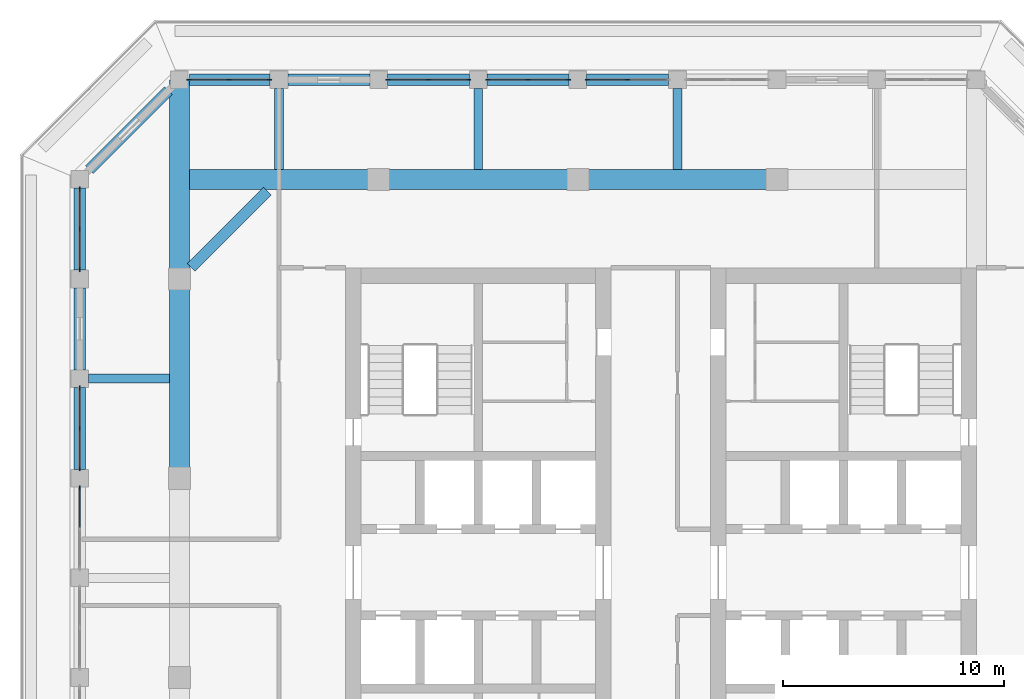
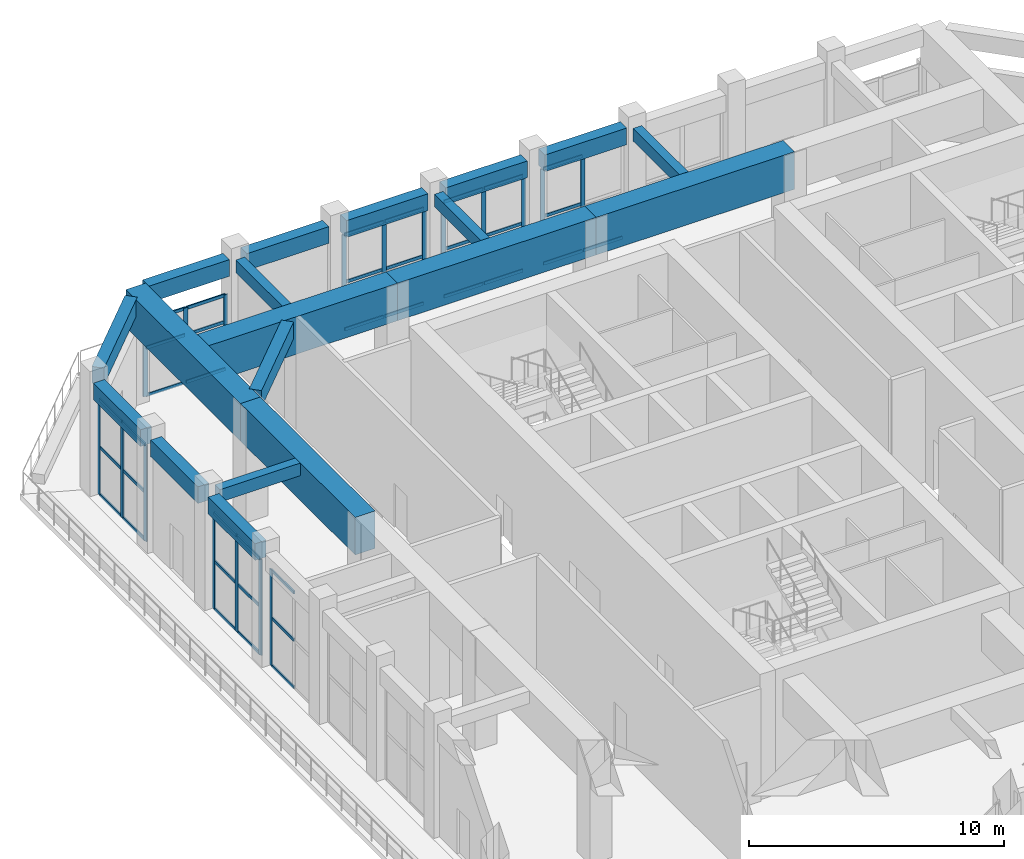
# One storey, part 5 of 20: 55 members, 19 beams, 7 elements without a shape of their own.
"""IFC4 building model written with IfcOpenShell, lengths in metres."""

from ifc_helpers import new_model, si_unit, direction, frame, origin, origin_2d, place, context, subcontext, project, spatial, rectangle, extrude, material, material_profile, profile_set, type_object, element, aggregate, save


model = new_model("IFC4")

# Units and contexts
model_context = context("Model", 3, precision=1e-05, world=origin(), true_north=direction((0.0, 1.0)))
body_context = subcontext(model_context, "Body", "Model", "MODEL_VIEW")
ifc_project = project(units=[si_unit("LENGTHUNIT", "METRE"), si_unit("AREAUNIT", "SQUARE_METRE"), si_unit("VOLUMEUNIT", "CUBIC_METRE"), si_unit("PLANEANGLEUNIT", "RADIAN"), si_unit("MASSUNIT", "GRAM", prefix="KILO")], contexts=[model_context])

# Site, building, storey
site_placement = place(None, origin())
site = spatial("IfcSite", under=ifc_project, at=site_placement, CompositionType="ELEMENT")
building_placement = place(site_placement, origin())
building = spatial("IfcBuilding", under=site, at=building_placement, Name="Corbel Stack Research Tower", CompositionType="ELEMENT")
storey_placement = place(building_placement, frame((0.0, 0.0, 295.0)))
storey = spatial("IfcBuildingStorey", under=building, at=storey_placement, Name="L67", CompositionType="ELEMENT", Elevation=295.0)

# Curtain wall, members
ifc_material_1 = material(Name="Aluminium frame, clear glass", Category="aluminium")
curtain_wall_type = type_object("IfcCurtainWallType", Name="Upper amenity floor curtain wall CW3", PredefinedType="NOTDEFINED", material=ifc_material_1)
curtain_wall_1_placement = place(storey_placement, origin())
curtain_wall_1 = element("IfcCurtainWall", 1, at=curtain_wall_1_placement, inside=storey, type_object=curtain_wall_type, Name="Curtain wall CW3 L67 N04", PredefinedType="NOTDEFINED")
ifc_material_2 = material(Name="Aluminium mullion", Category="aluminium")
ifc_material_profile_1 = material_profile(ifc_material_2, rectangle(XDim=0.06005859375, YDim=0.199951171875, at=origin_2d()), Name="Mullion 60 x 200")
ifc_profile_set_1 = profile_set([ifc_material_profile_1], Name="Aluminium mullion")
member_type_1 = type_object("IfcMemberType", Name="Curtain wall mullion 60 x 200", PredefinedType="MULLION", material=ifc_profile_set_1)
member_1_placement = place(storey_placement, frame((2.25, 27.0, 0.0), z_axis=(0.0, 0.0, 1.0), x_axis=(0.0, -1.0, 0.0)))
member_1 = element("IfcMember", 2, at=member_1_placement, type_object=member_type_1, Name="CW3 mullion 2", PredefinedType="MULLION", context=body_context, shape_type="SweptSolid", body=[
    extrude(rectangle(XDim=0.06005859375, YDim=0.199951171875, at=origin_2d()), origin(), (0.0, 0.0, 1.0), 4.60009765625),
])
member_2_placement = place(storey_placement, frame((0.429931640625, 27.0, 0.0), z_axis=(0.0, 0.0, 1.0), x_axis=(0.0, -1.0, 0.0)))
member_2 = element("IfcMember", 3, at=member_2_placement, type_object=member_type_1, Name="CW3 mullion 3", PredefinedType="MULLION", context=body_context, shape_type="SweptSolid", body=[
    extrude(rectangle(XDim=0.06005859375, YDim=0.199951171875, at=origin_2d()), origin(), (0.0, 0.0, 1.0), 4.60009765625),
])

curtain_wall_2_placement = place(storey_placement, origin())
curtain_wall_2 = element("IfcCurtainWall", 4, at=curtain_wall_2_placement, inside=storey, type_object=curtain_wall_type, Name="Curtain wall CW3 L67 N05", PredefinedType="NOTDEFINED")
member_3_placement = place(storey_placement, frame((-0.429931640625, 27.0, 0.0), z_axis=(0.0, 0.0, 1.0), x_axis=(0.0, -1.0, 0.0)))
member_3 = element("IfcMember", 5, at=member_3_placement, type_object=member_type_1, Name="CW3 mullion 1", PredefinedType="MULLION", context=body_context, shape_type="SweptSolid", body=[
    extrude(rectangle(XDim=0.06005859375, YDim=0.199951171875, at=origin_2d()), origin(), (0.0, 0.0, 1.0), 4.60009765625),
])
member_4_placement = place(storey_placement, frame((-2.25, 27.0, 0.0), z_axis=(0.0, 0.0, 1.0), x_axis=(0.0, -1.0, 0.0)))
member_4 = element("IfcMember", 6, at=member_4_placement, type_object=member_type_1, Name="CW3 mullion 2", PredefinedType="MULLION", context=body_context, shape_type="SweptSolid", body=[
    extrude(rectangle(XDim=0.06005859375, YDim=0.199951171875, at=origin_2d()), origin(), (0.0, 0.0, 1.0), 4.60009765625),
])
member_5_placement = place(storey_placement, frame((-4.070068359375, 27.0, 0.0), z_axis=(0.0, 0.0, 1.0), x_axis=(0.0, -1.0, 0.0)))
member_5 = element("IfcMember", 7, at=member_5_placement, type_object=member_type_1, Name="CW3 mullion 3", PredefinedType="MULLION", context=body_context, shape_type="SweptSolid", body=[
    extrude(rectangle(XDim=0.06005859375, YDim=0.199951171875, at=origin_2d()), origin(), (0.0, 0.0, 1.0), 4.60009765625),
])

curtain_wall_3_placement = place(storey_placement, origin())
curtain_wall_3 = element("IfcCurtainWall", 8, at=curtain_wall_3_placement, inside=storey, type_object=curtain_wall_type, Name="Curtain wall CW3 L67 N06", PredefinedType="NOTDEFINED")
member_6_placement = place(storey_placement, frame((-4.929931640625, 27.0, 0.0), z_axis=(0.0, 0.0, 1.0), x_axis=(0.0, -1.0, 0.0)))
member_6 = element("IfcMember", 9, at=member_6_placement, type_object=member_type_1, Name="CW3 mullion 1", PredefinedType="MULLION", context=body_context, shape_type="SweptSolid", body=[
    extrude(rectangle(XDim=0.06005859375, YDim=0.199951171875, at=origin_2d()), origin(), (0.0, 0.0, 1.0), 4.60009765625),
])
member_7_placement = place(storey_placement, frame((-6.75, 27.0, 0.0), z_axis=(0.0, 0.0, 1.0), x_axis=(0.0, -1.0, 0.0)))
member_7 = element("IfcMember", 10, at=member_7_placement, type_object=member_type_1, Name="CW3 mullion 2", PredefinedType="MULLION", context=body_context, shape_type="SweptSolid", body=[
    extrude(rectangle(XDim=0.06005859375, YDim=0.199951171875, at=origin_2d()), origin(), (0.0, 0.0, 1.0), 4.60009765625),
])
member_8_placement = place(storey_placement, frame((-8.570068359375, 27.0, 0.0), z_axis=(0.0, 0.0, 1.0), x_axis=(0.0, -1.0, 0.0)))
member_8 = element("IfcMember", 11, at=member_8_placement, type_object=member_type_1, Name="CW3 mullion 3", PredefinedType="MULLION", context=body_context, shape_type="SweptSolid", body=[
    extrude(rectangle(XDim=0.06005859375, YDim=0.199951171875, at=origin_2d()), origin(), (0.0, 0.0, 1.0), 4.60009765625),
])

curtain_wall_4_placement = place(storey_placement, origin())
curtain_wall_4 = element("IfcCurtainWall", 12, at=curtain_wall_4_placement, inside=storey, type_object=curtain_wall_type, Name="Curtain wall CW3 L67 N08", PredefinedType="NOTDEFINED")
member_9_placement = place(storey_placement, frame((-13.929931640625, 27.0, 0.0), z_axis=(0.0, 0.0, 1.0), x_axis=(0.0, -1.0, 0.0)))
member_9 = element("IfcMember", 13, at=member_9_placement, type_object=member_type_1, Name="CW3 mullion 1", PredefinedType="MULLION", context=body_context, shape_type="SweptSolid", body=[
    extrude(rectangle(XDim=0.06005859375, YDim=0.199951171875, at=origin_2d()), origin(), (0.0, 0.0, 1.0), 3.60009765625),
])
member_10_placement = place(storey_placement, frame((-15.75, 27.0, 0.0), z_axis=(0.0, 0.0, 1.0), x_axis=(0.0, -1.0, 0.0)))
member_10 = element("IfcMember", 14, at=member_10_placement, type_object=member_type_1, Name="CW3 mullion 2", PredefinedType="MULLION", context=body_context, shape_type="SweptSolid", body=[
    extrude(rectangle(XDim=0.06005859375, YDim=0.199951171875, at=origin_2d()), origin(), (0.0, 0.0, 1.0), 3.60009765625),
])
member_11_placement = place(storey_placement, frame((-17.570068359375, 27.0, 0.0), z_axis=(0.0, 0.0, 1.0), x_axis=(0.0, -1.0, 0.0)))
member_11 = element("IfcMember", 15, at=member_11_placement, type_object=member_type_1, Name="CW3 mullion 3", PredefinedType="MULLION", context=body_context, shape_type="SweptSolid", body=[
    extrude(rectangle(XDim=0.06005859375, YDim=0.199951171875, at=origin_2d()), origin(), (0.0, 0.0, 1.0), 3.60009765625),
])

curtain_wall_5_placement = place(storey_placement, origin())
curtain_wall_5 = element("IfcCurtainWall", 16, at=curtain_wall_5_placement, inside=storey, type_object=curtain_wall_type, Name="Curtain wall CW3 L67 W01", PredefinedType="NOTDEFINED")
member_12_placement = place(storey_placement, frame((-22.5, 22.070068359375, 0.0), z_axis=(0.0, 0.0, 1.0), x_axis=(1.0, 0.0, 0.0)))
member_12 = element("IfcMember", 17, at=member_12_placement, type_object=member_type_1, Name="CW3 mullion 1", PredefinedType="MULLION", context=body_context, shape_type="SweptSolid", body=[
    extrude(rectangle(XDim=0.06005859375, YDim=0.199951171875, at=origin_2d()), origin(), (0.0, 0.0, 1.0), 4.60009765625),
])
member_13_placement = place(storey_placement, frame((-22.5, 20.25, 0.0), z_axis=(0.0, 0.0, 1.0), x_axis=(1.0, 0.0, 0.0)))
member_13 = element("IfcMember", 18, at=member_13_placement, type_object=member_type_1, Name="CW3 mullion 2", PredefinedType="MULLION", context=body_context, shape_type="SweptSolid", body=[
    extrude(rectangle(XDim=0.06005859375, YDim=0.199951171875, at=origin_2d()), origin(), (0.0, 0.0, 1.0), 4.60009765625),
])
member_14_placement = place(storey_placement, frame((-22.5, 18.429931640625, 0.0), z_axis=(0.0, 0.0, 1.0), x_axis=(1.0, 0.0, 0.0)))
member_14 = element("IfcMember", 19, at=member_14_placement, type_object=member_type_1, Name="CW3 mullion 3", PredefinedType="MULLION", context=body_context, shape_type="SweptSolid", body=[
    extrude(rectangle(XDim=0.06005859375, YDim=0.199951171875, at=origin_2d()), origin(), (0.0, 0.0, 1.0), 4.60009765625),
])

curtain_wall_6_placement = place(storey_placement, origin())
curtain_wall_6 = element("IfcCurtainWall", 20, at=curtain_wall_6_placement, inside=storey, type_object=curtain_wall_type, Name="Curtain wall CW3 L67 W03", PredefinedType="NOTDEFINED")
member_15_placement = place(storey_placement, frame((-22.5, 13.070068359375, 0.0), z_axis=(0.0, 0.0, 1.0), x_axis=(1.0, 0.0, 0.0)))
member_15 = element("IfcMember", 21, at=member_15_placement, type_object=member_type_1, Name="CW3 mullion 1", PredefinedType="MULLION", context=body_context, shape_type="SweptSolid", body=[
    extrude(rectangle(XDim=0.06005859375, YDim=0.199951171875, at=origin_2d()), origin(), (0.0, 0.0, 1.0), 4.60009765625),
])
member_16_placement = place(storey_placement, frame((-22.5, 11.25, 0.0), z_axis=(0.0, 0.0, 1.0), x_axis=(1.0, 0.0, 0.0)))
member_16 = element("IfcMember", 22, at=member_16_placement, type_object=member_type_1, Name="CW3 mullion 2", PredefinedType="MULLION", context=body_context, shape_type="SweptSolid", body=[
    extrude(rectangle(XDim=0.06005859375, YDim=0.199951171875, at=origin_2d()), origin(), (0.0, 0.0, 1.0), 4.60009765625),
])
member_17_placement = place(storey_placement, frame((-22.5, 9.429931640625, 0.0), z_axis=(0.0, 0.0, 1.0), x_axis=(1.0, 0.0, 0.0)))
member_17 = element("IfcMember", 23, at=member_17_placement, type_object=member_type_1, Name="CW3 mullion 3", PredefinedType="MULLION", context=body_context, shape_type="SweptSolid", body=[
    extrude(rectangle(XDim=0.06005859375, YDim=0.199951171875, at=origin_2d()), origin(), (0.0, 0.0, 1.0), 4.60009765625),
])

# Curtain wall, member
curtain_wall_7_placement = place(storey_placement, origin())
curtain_wall_7 = element("IfcCurtainWall", 24, at=curtain_wall_7_placement, inside=storey, type_object=curtain_wall_type, Name="Curtain wall CW3 L67 W04", PredefinedType="NOTDEFINED")
member_18_placement = place(storey_placement, frame((-22.5, 8.570068359375, 0.0), z_axis=(0.0, 0.0, 1.0), x_axis=(1.0, 0.0, 0.0)))
member_18 = element("IfcMember", 25, at=member_18_placement, type_object=member_type_1, Name="CW3 mullion 1", PredefinedType="MULLION", context=body_context, shape_type="SweptSolid", body=[
    extrude(rectangle(XDim=0.06005859375, YDim=0.199951171875, at=origin_2d()), origin(), (0.0, 0.0, 1.0), 4.60009765625),
])

# Member
ifc_material_3 = material(Name="Aluminium transom", Category="aluminium")
ifc_material_profile_2 = material_profile(ifc_material_3, rectangle(XDim=0.06005859375, YDim=0.14990234375, at=origin_2d()), Name="Transom 60 x 150")
ifc_profile_set_2 = profile_set([ifc_material_profile_2], Name="Aluminium transom")
member_type_2 = type_object("IfcMemberType", Name="Curtain wall transom 60 x 150", PredefinedType="USERDEFINED", material=ifc_profile_set_2)
member_19_placement = place(storey_placement, frame((4.0400390625, 27.0, 0.030029296875), z_axis=(-1.0, 0.0, 0.0), x_axis=(0.0, -1.0, 0.0)))
member_19 = element("IfcMember", 26, at=member_19_placement, type_object=member_type_2, Name="CW3 transom 1.1", ObjectType="TRANSOM", PredefinedType="USERDEFINED", context=body_context, shape_type="SweptSolid", body=[
    extrude(rectangle(XDim=0.06005859375, YDim=0.14990234375, at=origin_2d()), origin(), (0.0, 0.0, 1.0), 1.760009765625),
])

member_20_placement = place(storey_placement, frame((2.219970703125, 27.0, 0.030029296875), z_axis=(-1.0, 0.0, 0.0), x_axis=(0.0, -1.0, 0.0)))
member_20 = element("IfcMember", 27, at=member_20_placement, type_object=member_type_2, Name="CW3 transom 2.1", ObjectType="TRANSOM", PredefinedType="USERDEFINED", context=body_context, shape_type="SweptSolid", body=[
    extrude(rectangle(XDim=0.06005859375, YDim=0.14990234375, at=origin_2d()), origin(), (0.0, 0.0, 1.0), 1.760009765625),
])

member_21_placement = place(storey_placement, frame((2.219970703125, 27.0, 2.300048828125), z_axis=(-1.0, 0.0, 0.0), x_axis=(0.0, -1.0, 0.0)))
member_21 = element("IfcMember", 28, at=member_21_placement, type_object=member_type_2, Name="CW3 transom 2.2", ObjectType="TRANSOM", PredefinedType="USERDEFINED", context=body_context, shape_type="SweptSolid", body=[
    extrude(rectangle(XDim=0.06005859375, YDim=0.14990234375, at=origin_2d()), origin(), (0.0, 0.0, 1.0), 1.760009765625),
])

member_22_placement = place(storey_placement, frame((2.219970703125, 27.0, 4.570068359375), z_axis=(-1.0, 0.0, 0.0), x_axis=(0.0, -1.0, 0.0)))
member_22 = element("IfcMember", 29, at=member_22_placement, type_object=member_type_2, Name="CW3 transom 2.3", ObjectType="TRANSOM", PredefinedType="USERDEFINED", context=body_context, shape_type="SweptSolid", body=[
    extrude(rectangle(XDim=0.06005859375, YDim=0.14990234375, at=origin_2d()), origin(), (0.0, 0.0, 1.0), 1.760009765625),
])

aggregate(curtain_wall_1, [member_1, member_2, member_19, member_20, member_21, member_22])

member_23_placement = place(storey_placement, frame((-0.4599609375, 27.0, 0.030029296875), z_axis=(-1.0, 0.0, 0.0), x_axis=(0.0, -1.0, 0.0)))
member_23 = element("IfcMember", 30, at=member_23_placement, type_object=member_type_2, Name="CW3 transom 1.1", ObjectType="TRANSOM", PredefinedType="USERDEFINED", context=body_context, shape_type="SweptSolid", body=[
    extrude(rectangle(XDim=0.06005859375, YDim=0.14990234375, at=origin_2d()), origin(), (0.0, 0.0, 1.0), 1.760009765625),
])

member_24_placement = place(storey_placement, frame((-0.4599609375, 27.0, 2.300048828125), z_axis=(-1.0, 0.0, 0.0), x_axis=(0.0, -1.0, 0.0)))
member_24 = element("IfcMember", 31, at=member_24_placement, type_object=member_type_2, Name="CW3 transom 1.2", ObjectType="TRANSOM", PredefinedType="USERDEFINED", context=body_context, shape_type="SweptSolid", body=[
    extrude(rectangle(XDim=0.06005859375, YDim=0.14990234375, at=origin_2d()), origin(), (0.0, 0.0, 1.0), 1.760009765625),
])

member_25_placement = place(storey_placement, frame((-0.4599609375, 27.0, 4.570068359375), z_axis=(-1.0, 0.0, 0.0), x_axis=(0.0, -1.0, 0.0)))
member_25 = element("IfcMember", 32, at=member_25_placement, type_object=member_type_2, Name="CW3 transom 1.3", ObjectType="TRANSOM", PredefinedType="USERDEFINED", context=body_context, shape_type="SweptSolid", body=[
    extrude(rectangle(XDim=0.06005859375, YDim=0.14990234375, at=origin_2d()), origin(), (0.0, 0.0, 1.0), 1.760009765625),
])

member_26_placement = place(storey_placement, frame((-2.280029296875, 27.0, 0.030029296875), z_axis=(-1.0, 0.0, 0.0), x_axis=(0.0, -1.0, 0.0)))
member_26 = element("IfcMember", 33, at=member_26_placement, type_object=member_type_2, Name="CW3 transom 2.1", ObjectType="TRANSOM", PredefinedType="USERDEFINED", context=body_context, shape_type="SweptSolid", body=[
    extrude(rectangle(XDim=0.06005859375, YDim=0.14990234375, at=origin_2d()), origin(), (0.0, 0.0, 1.0), 1.760009765625),
])

member_27_placement = place(storey_placement, frame((-2.280029296875, 27.0, 2.300048828125), z_axis=(-1.0, 0.0, 0.0), x_axis=(0.0, -1.0, 0.0)))
member_27 = element("IfcMember", 34, at=member_27_placement, type_object=member_type_2, Name="CW3 transom 2.2", ObjectType="TRANSOM", PredefinedType="USERDEFINED", context=body_context, shape_type="SweptSolid", body=[
    extrude(rectangle(XDim=0.06005859375, YDim=0.14990234375, at=origin_2d()), origin(), (0.0, 0.0, 1.0), 1.760009765625),
])

member_28_placement = place(storey_placement, frame((-2.280029296875, 27.0, 4.570068359375), z_axis=(-1.0, 0.0, 0.0), x_axis=(0.0, -1.0, 0.0)))
member_28 = element("IfcMember", 35, at=member_28_placement, type_object=member_type_2, Name="CW3 transom 2.3", ObjectType="TRANSOM", PredefinedType="USERDEFINED", context=body_context, shape_type="SweptSolid", body=[
    extrude(rectangle(XDim=0.06005859375, YDim=0.14990234375, at=origin_2d()), origin(), (0.0, 0.0, 1.0), 1.760009765625),
])

aggregate(curtain_wall_2, [member_3, member_4, member_5, member_23, member_24, member_25, member_26, member_27, member_28])

member_29_placement = place(storey_placement, frame((-4.9599609375, 27.0, 0.030029296875), z_axis=(-1.0, 0.0, 0.0), x_axis=(0.0, -1.0, 0.0)))
member_29 = element("IfcMember", 36, at=member_29_placement, type_object=member_type_2, Name="CW3 transom 1.1", ObjectType="TRANSOM", PredefinedType="USERDEFINED", context=body_context, shape_type="SweptSolid", body=[
    extrude(rectangle(XDim=0.06005859375, YDim=0.14990234375, at=origin_2d()), origin(), (0.0, 0.0, 1.0), 1.760009765625),
])

member_30_placement = place(storey_placement, frame((-4.9599609375, 27.0, 2.300048828125), z_axis=(-1.0, 0.0, 0.0), x_axis=(0.0, -1.0, 0.0)))
member_30 = element("IfcMember", 37, at=member_30_placement, type_object=member_type_2, Name="CW3 transom 1.2", ObjectType="TRANSOM", PredefinedType="USERDEFINED", context=body_context, shape_type="SweptSolid", body=[
    extrude(rectangle(XDim=0.06005859375, YDim=0.14990234375, at=origin_2d()), origin(), (0.0, 0.0, 1.0), 1.760009765625),
])

member_31_placement = place(storey_placement, frame((-4.9599609375, 27.0, 4.570068359375), z_axis=(-1.0, 0.0, 0.0), x_axis=(0.0, -1.0, 0.0)))
member_31 = element("IfcMember", 38, at=member_31_placement, type_object=member_type_2, Name="CW3 transom 1.3", ObjectType="TRANSOM", PredefinedType="USERDEFINED", context=body_context, shape_type="SweptSolid", body=[
    extrude(rectangle(XDim=0.06005859375, YDim=0.14990234375, at=origin_2d()), origin(), (0.0, 0.0, 1.0), 1.760009765625),
])

member_32_placement = place(storey_placement, frame((-6.780029296875, 27.0, 0.030029296875), z_axis=(-1.0, 0.0, 0.0), x_axis=(0.0, -1.0, 0.0)))
member_32 = element("IfcMember", 39, at=member_32_placement, type_object=member_type_2, Name="CW3 transom 2.1", ObjectType="TRANSOM", PredefinedType="USERDEFINED", context=body_context, shape_type="SweptSolid", body=[
    extrude(rectangle(XDim=0.06005859375, YDim=0.14990234375, at=origin_2d()), origin(), (0.0, 0.0, 1.0), 1.760009765625),
])

member_33_placement = place(storey_placement, frame((-6.780029296875, 27.0, 2.300048828125), z_axis=(-1.0, 0.0, 0.0), x_axis=(0.0, -1.0, 0.0)))
member_33 = element("IfcMember", 40, at=member_33_placement, type_object=member_type_2, Name="CW3 transom 2.2", ObjectType="TRANSOM", PredefinedType="USERDEFINED", context=body_context, shape_type="SweptSolid", body=[
    extrude(rectangle(XDim=0.06005859375, YDim=0.14990234375, at=origin_2d()), origin(), (0.0, 0.0, 1.0), 1.760009765625),
])

member_34_placement = place(storey_placement, frame((-6.780029296875, 27.0, 4.570068359375), z_axis=(-1.0, 0.0, 0.0), x_axis=(0.0, -1.0, 0.0)))
member_34 = element("IfcMember", 41, at=member_34_placement, type_object=member_type_2, Name="CW3 transom 2.3", ObjectType="TRANSOM", PredefinedType="USERDEFINED", context=body_context, shape_type="SweptSolid", body=[
    extrude(rectangle(XDim=0.06005859375, YDim=0.14990234375, at=origin_2d()), origin(), (0.0, 0.0, 1.0), 1.760009765625),
])

aggregate(curtain_wall_3, [member_6, member_7, member_8, member_29, member_30, member_31, member_32, member_33, member_34])

member_35_placement = place(storey_placement, frame((-13.9599609375, 27.0, 0.030029296875), z_axis=(-1.0, 0.0, 0.0), x_axis=(0.0, -1.0, 0.0)))
member_35 = element("IfcMember", 42, at=member_35_placement, type_object=member_type_2, Name="CW3 transom 1.1", ObjectType="TRANSOM", PredefinedType="USERDEFINED", context=body_context, shape_type="SweptSolid", body=[
    extrude(rectangle(XDim=0.06005859375, YDim=0.14990234375, at=origin_2d()), origin(), (0.0, 0.0, 1.0), 1.760009765625),
])

member_36_placement = place(storey_placement, frame((-13.9599609375, 27.0, 2.300048828125), z_axis=(-1.0, 0.0, 0.0), x_axis=(0.0, -1.0, 0.0)))
member_36 = element("IfcMember", 43, at=member_36_placement, type_object=member_type_2, Name="CW3 transom 1.2", ObjectType="TRANSOM", PredefinedType="USERDEFINED", context=body_context, shape_type="SweptSolid", body=[
    extrude(rectangle(XDim=0.06005859375, YDim=0.14990234375, at=origin_2d()), origin(), (0.0, 0.0, 1.0), 1.760009765625),
])

member_37_placement = place(storey_placement, frame((-13.9599609375, 27.0, 3.570068359375), z_axis=(-1.0, 0.0, 0.0), x_axis=(0.0, -1.0, 0.0)))
member_37 = element("IfcMember", 44, at=member_37_placement, type_object=member_type_2, Name="CW3 transom 1.3", ObjectType="TRANSOM", PredefinedType="USERDEFINED", context=body_context, shape_type="SweptSolid", body=[
    extrude(rectangle(XDim=0.06005859375, YDim=0.14990234375, at=origin_2d()), origin(), (0.0, 0.0, 1.0), 1.760009765625),
])

member_38_placement = place(storey_placement, frame((-15.780029296875, 27.0, 0.030029296875), z_axis=(-1.0, 0.0, 0.0), x_axis=(0.0, -1.0, 0.0)))
member_38 = element("IfcMember", 45, at=member_38_placement, type_object=member_type_2, Name="CW3 transom 2.1", ObjectType="TRANSOM", PredefinedType="USERDEFINED", context=body_context, shape_type="SweptSolid", body=[
    extrude(rectangle(XDim=0.06005859375, YDim=0.14990234375, at=origin_2d()), origin(), (0.0, 0.0, 1.0), 1.760009765625),
])

member_39_placement = place(storey_placement, frame((-15.780029296875, 27.0, 2.300048828125), z_axis=(-1.0, 0.0, 0.0), x_axis=(0.0, -1.0, 0.0)))
member_39 = element("IfcMember", 46, at=member_39_placement, type_object=member_type_2, Name="CW3 transom 2.2", ObjectType="TRANSOM", PredefinedType="USERDEFINED", context=body_context, shape_type="SweptSolid", body=[
    extrude(rectangle(XDim=0.06005859375, YDim=0.14990234375, at=origin_2d()), origin(), (0.0, 0.0, 1.0), 1.760009765625),
])

member_40_placement = place(storey_placement, frame((-15.780029296875, 27.0, 3.570068359375), z_axis=(-1.0, 0.0, 0.0), x_axis=(0.0, -1.0, 0.0)))
member_40 = element("IfcMember", 47, at=member_40_placement, type_object=member_type_2, Name="CW3 transom 2.3", ObjectType="TRANSOM", PredefinedType="USERDEFINED", context=body_context, shape_type="SweptSolid", body=[
    extrude(rectangle(XDim=0.06005859375, YDim=0.14990234375, at=origin_2d()), origin(), (0.0, 0.0, 1.0), 1.760009765625),
])

aggregate(curtain_wall_4, [member_9, member_10, member_11, member_35, member_36, member_37, member_38, member_39, member_40])

member_41_placement = place(storey_placement, frame((-22.5, 22.0400390625, 0.030029296875), z_axis=(0.0, -1.0, 0.0), x_axis=(1.0, 0.0, 0.0)))
member_41 = element("IfcMember", 48, at=member_41_placement, type_object=member_type_2, Name="CW3 transom 1.1", ObjectType="TRANSOM", PredefinedType="USERDEFINED", context=body_context, shape_type="SweptSolid", body=[
    extrude(rectangle(XDim=0.06005859375, YDim=0.14990234375, at=origin_2d()), origin(), (0.0, 0.0, 1.0), 1.760009765625),
])

member_42_placement = place(storey_placement, frame((-22.5, 22.0400390625, 2.300048828125), z_axis=(0.0, -1.0, 0.0), x_axis=(1.0, 0.0, 0.0)))
member_42 = element("IfcMember", 49, at=member_42_placement, type_object=member_type_2, Name="CW3 transom 1.2", ObjectType="TRANSOM", PredefinedType="USERDEFINED", context=body_context, shape_type="SweptSolid", body=[
    extrude(rectangle(XDim=0.06005859375, YDim=0.14990234375, at=origin_2d()), origin(), (0.0, 0.0, 1.0), 1.760009765625),
])

member_43_placement = place(storey_placement, frame((-22.5, 22.0400390625, 4.570068359375), z_axis=(0.0, -1.0, 0.0), x_axis=(1.0, 0.0, 0.0)))
member_43 = element("IfcMember", 50, at=member_43_placement, type_object=member_type_2, Name="CW3 transom 1.3", ObjectType="TRANSOM", PredefinedType="USERDEFINED", context=body_context, shape_type="SweptSolid", body=[
    extrude(rectangle(XDim=0.06005859375, YDim=0.14990234375, at=origin_2d()), origin(), (0.0, 0.0, 1.0), 1.760009765625),
])

member_44_placement = place(storey_placement, frame((-22.5, 20.219970703125, 0.030029296875), z_axis=(0.0, -1.0, 0.0), x_axis=(1.0, 0.0, 0.0)))
member_44 = element("IfcMember", 51, at=member_44_placement, type_object=member_type_2, Name="CW3 transom 2.1", ObjectType="TRANSOM", PredefinedType="USERDEFINED", context=body_context, shape_type="SweptSolid", body=[
    extrude(rectangle(XDim=0.06005859375, YDim=0.14990234375, at=origin_2d()), origin(), (0.0, 0.0, 1.0), 1.760009765625),
])

member_45_placement = place(storey_placement, frame((-22.5, 20.219970703125, 2.300048828125), z_axis=(0.0, -1.0, 0.0), x_axis=(1.0, 0.0, 0.0)))
member_45 = element("IfcMember", 52, at=member_45_placement, type_object=member_type_2, Name="CW3 transom 2.2", ObjectType="TRANSOM", PredefinedType="USERDEFINED", context=body_context, shape_type="SweptSolid", body=[
    extrude(rectangle(XDim=0.06005859375, YDim=0.14990234375, at=origin_2d()), origin(), (0.0, 0.0, 1.0), 1.760009765625),
])

member_46_placement = place(storey_placement, frame((-22.5, 20.219970703125, 4.570068359375), z_axis=(0.0, -1.0, 0.0), x_axis=(1.0, 0.0, 0.0)))
member_46 = element("IfcMember", 53, at=member_46_placement, type_object=member_type_2, Name="CW3 transom 2.3", ObjectType="TRANSOM", PredefinedType="USERDEFINED", context=body_context, shape_type="SweptSolid", body=[
    extrude(rectangle(XDim=0.06005859375, YDim=0.14990234375, at=origin_2d()), origin(), (0.0, 0.0, 1.0), 1.760009765625),
])

aggregate(curtain_wall_5, [member_12, member_13, member_14, member_41, member_42, member_43, member_44, member_45, member_46])

member_47_placement = place(storey_placement, frame((-22.5, 13.0400390625, 0.030029296875), z_axis=(0.0, -1.0, 0.0), x_axis=(1.0, 0.0, 0.0)))
member_47 = element("IfcMember", 54, at=member_47_placement, type_object=member_type_2, Name="CW3 transom 1.1", ObjectType="TRANSOM", PredefinedType="USERDEFINED", context=body_context, shape_type="SweptSolid", body=[
    extrude(rectangle(XDim=0.06005859375, YDim=0.14990234375, at=origin_2d()), origin(), (0.0, 0.0, 1.0), 1.760009765625),
])

member_48_placement = place(storey_placement, frame((-22.5, 13.0400390625, 2.300048828125), z_axis=(0.0, -1.0, 0.0), x_axis=(1.0, 0.0, 0.0)))
member_48 = element("IfcMember", 55, at=member_48_placement, type_object=member_type_2, Name="CW3 transom 1.2", ObjectType="TRANSOM", PredefinedType="USERDEFINED", context=body_context, shape_type="SweptSolid", body=[
    extrude(rectangle(XDim=0.06005859375, YDim=0.14990234375, at=origin_2d()), origin(), (0.0, 0.0, 1.0), 1.760009765625),
])

member_49_placement = place(storey_placement, frame((-22.5, 13.0400390625, 4.570068359375), z_axis=(0.0, -1.0, 0.0), x_axis=(1.0, 0.0, 0.0)))
member_49 = element("IfcMember", 56, at=member_49_placement, type_object=member_type_2, Name="CW3 transom 1.3", ObjectType="TRANSOM", PredefinedType="USERDEFINED", context=body_context, shape_type="SweptSolid", body=[
    extrude(rectangle(XDim=0.06005859375, YDim=0.14990234375, at=origin_2d()), origin(), (0.0, 0.0, 1.0), 1.760009765625),
])

member_50_placement = place(storey_placement, frame((-22.5, 11.219970703125, 0.030029296875), z_axis=(0.0, -1.0, 0.0), x_axis=(1.0, 0.0, 0.0)))
member_50 = element("IfcMember", 57, at=member_50_placement, type_object=member_type_2, Name="CW3 transom 2.1", ObjectType="TRANSOM", PredefinedType="USERDEFINED", context=body_context, shape_type="SweptSolid", body=[
    extrude(rectangle(XDim=0.06005859375, YDim=0.14990234375, at=origin_2d()), origin(), (0.0, 0.0, 1.0), 1.760009765625),
])

member_51_placement = place(storey_placement, frame((-22.5, 11.219970703125, 2.300048828125), z_axis=(0.0, -1.0, 0.0), x_axis=(1.0, 0.0, 0.0)))
member_51 = element("IfcMember", 58, at=member_51_placement, type_object=member_type_2, Name="CW3 transom 2.2", ObjectType="TRANSOM", PredefinedType="USERDEFINED", context=body_context, shape_type="SweptSolid", body=[
    extrude(rectangle(XDim=0.06005859375, YDim=0.14990234375, at=origin_2d()), origin(), (0.0, 0.0, 1.0), 1.760009765625),
])

member_52_placement = place(storey_placement, frame((-22.5, 11.219970703125, 4.570068359375), z_axis=(0.0, -1.0, 0.0), x_axis=(1.0, 0.0, 0.0)))
member_52 = element("IfcMember", 59, at=member_52_placement, type_object=member_type_2, Name="CW3 transom 2.3", ObjectType="TRANSOM", PredefinedType="USERDEFINED", context=body_context, shape_type="SweptSolid", body=[
    extrude(rectangle(XDim=0.06005859375, YDim=0.14990234375, at=origin_2d()), origin(), (0.0, 0.0, 1.0), 1.760009765625),
])

aggregate(curtain_wall_6, [member_15, member_16, member_17, member_47, member_48, member_49, member_50, member_51, member_52])

member_53_placement = place(storey_placement, frame((-22.5, 8.5400390625, 0.030029296875), z_axis=(0.0, -1.0, 0.0), x_axis=(1.0, 0.0, 0.0)))
member_53 = element("IfcMember", 60, at=member_53_placement, type_object=member_type_2, Name="CW3 transom 1.1", ObjectType="TRANSOM", PredefinedType="USERDEFINED", context=body_context, shape_type="SweptSolid", body=[
    extrude(rectangle(XDim=0.06005859375, YDim=0.14990234375, at=origin_2d()), origin(), (0.0, 0.0, 1.0), 1.760009765625),
])

member_54_placement = place(storey_placement, frame((-22.5, 8.5400390625, 2.300048828125), z_axis=(0.0, -1.0, 0.0), x_axis=(1.0, 0.0, 0.0)))
member_54 = element("IfcMember", 61, at=member_54_placement, type_object=member_type_2, Name="CW3 transom 1.2", ObjectType="TRANSOM", PredefinedType="USERDEFINED", context=body_context, shape_type="SweptSolid", body=[
    extrude(rectangle(XDim=0.06005859375, YDim=0.14990234375, at=origin_2d()), origin(), (0.0, 0.0, 1.0), 1.760009765625),
])

member_55_placement = place(storey_placement, frame((-22.5, 8.5400390625, 4.570068359375), z_axis=(0.0, -1.0, 0.0), x_axis=(1.0, 0.0, 0.0)))
member_55 = element("IfcMember", 62, at=member_55_placement, type_object=member_type_2, Name="CW3 transom 1.3", ObjectType="TRANSOM", PredefinedType="USERDEFINED", context=body_context, shape_type="SweptSolid", body=[
    extrude(rectangle(XDim=0.06005859375, YDim=0.14990234375, at=origin_2d()), origin(), (0.0, 0.0, 1.0), 1.760009765625),
])

aggregate(curtain_wall_7, [member_18, member_53, member_54, member_55])

# Beams
ifc_material_4 = material(Name="Concrete C60/75", Category="concrete")
ifc_material_profile_3 = material_profile(ifc_material_4, rectangle(XDim=0.5, YDim=0.800048828125, at=origin_2d()), Name="RC 500 x 800")
ifc_profile_set_3 = profile_set([ifc_material_profile_3], Name="Concrete C60/75")
beam_type_1 = type_object("IfcBeamType", Name="SB-500-800-600", PredefinedType="SPANDREL", material=ifc_profile_set_3)
for number, where, z_axis, x_axis, name in (
    (63, (4.10009765625, 27.0, 5.0), (-1.0, 0.0, 0.0), (0.0, -1.0, 0.0), "Spandrel beam L67-22"),
    (64, (-0.39990234375, 27.0, 5.0), (-1.0, 0.0, 0.0), (0.0, -1.0, 0.0), "Spandrel beam L67-23"),
    (65, (-4.89990234375, 27.0, 5.0), (-1.0, 0.0, 0.0), (0.0, -1.0, 0.0), "Spandrel beam L67-24"),
    (66, (-9.39990234375, 27.0, 5.0), (-1.0, 0.0, 0.0), (0.0, -1.0, 0.0), "Spandrel beam L67-25"),
):
    element("IfcBeam", number, at=place(storey_placement, frame(where, z_axis=z_axis, x_axis=x_axis)), inside=storey, type_object=beam_type_1, Name=name, PredefinedType="SPANDREL", context=body_context, shape_type="SweptSolid", body=[
        extrude(rectangle(XDim=0.5, YDim=0.800048828125, at=origin_2d()), origin(), (0.0, 0.0, 1.0), 3.7001953125),
    ])
beam_1_placement = place(storey_placement, frame((-13.89990234375, 27.0, 5.0), z_axis=(-1.0, 0.0, 0.0), x_axis=(0.0, -1.0, 0.0)))
element("IfcBeam", 67, at=beam_1_placement, inside=storey, type_object=beam_type_1, Name="Spandrel beam L67-26", PredefinedType="SPANDREL", context=body_context, shape_type="SweptSolid", body=[
    extrude(rectangle(XDim=0.5, YDim=0.800048828125, at=origin_2d()), origin(), (0.0, 0.0, 1.0), 3.650146484375),
])
beam_2_placement = place(storey_placement, frame((-18.492431640625, 26.507568359375, 5.0), z_axis=(-0.707106781187, -0.707106781187, 0.0), x_axis=(0.707106781187, -0.707106781187, 0.0)))
element("IfcBeam", 68, at=beam_2_placement, inside=storey, type_object=beam_type_1, Name="Spandrel beam L67-27", PredefinedType="SPANDREL", context=body_context, shape_type="SweptSolid", body=[
    extrude(rectangle(XDim=0.5, YDim=0.800048828125, at=origin_2d()), origin(), (0.0, 0.0, 1.0), 5.0419921875),
])
for number, where, z_axis, x_axis, name in (
    (69, (-22.5, 22.10009765625, 5.0), (0.0, -1.0, 0.0), (1.0, 0.0, 0.0), "Spandrel beam L67-28"),
    (70, (-22.5, 17.60009765625, 5.0), (0.0, -1.0, 0.0), (1.0, 0.0, 0.0), "Spandrel beam L67-29"),
    (71, (-22.5, 13.10009765625, 5.0), (0.0, -1.0, 0.0), (1.0, 0.0, 0.0), "Spandrel beam L67-30"),
):
    element("IfcBeam", number, at=place(storey_placement, frame(where, z_axis=z_axis, x_axis=x_axis)), inside=storey, type_object=beam_type_1, Name=name, PredefinedType="SPANDREL", context=body_context, shape_type="SweptSolid", body=[
        extrude(rectangle(XDim=0.5, YDim=0.800048828125, at=origin_2d()), origin(), (0.0, 0.0, 1.0), 3.7001953125),
    ])
beam_3_placement = place(storey_placement, frame((-14.02783203125, 21.97216796875, 5.0), z_axis=(-0.707106781187, -0.707106781187, 0.0), x_axis=(0.707106781187, -0.707106781187, 0.0)))
element("IfcBeam", 72, at=beam_3_placement, inside=storey, type_object=beam_type_1, Name="Spandrel beam L67-39", PredefinedType="SPANDREL", context=body_context, shape_type="SweptSolid", body=[
    extrude(rectangle(XDim=0.5, YDim=0.800048828125, at=origin_2d()), origin(), (0.0, 0.0, 1.0), 4.87109375),
])
ifc_material_5 = material(Name="Concrete C60/75", Category="concrete")
ifc_material_profile_4 = material_profile(ifc_material_5, rectangle(XDim=0.39990234375, YDim=0.60009765625, at=origin_2d()), Name="RC 400 x 600")
ifc_profile_set_4 = profile_set([ifc_material_profile_4], Name="Concrete C60/75")
beam_type_2 = type_object("IfcBeamType", Name="TG-400-600", PredefinedType="BEAM", material=ifc_profile_set_4)
for number, where, z_axis, x_axis, name in (
    (73, (-18.449951171875, 13.5, 5.10009765625), (-1.0, 0.0, 0.0), (0.0, -1.0, 0.0), "Transfer tie beam L67 t4L"),
    (74, (-13.5, 22.949951171875, 5.10009765625), (0.0, 1.0, 0.0), (-1.0, 0.0, 0.0), "Transfer tie beam L67 t5N"),
    (75, (-4.5, 22.949951171875, 5.10009765625), (0.0, 1.0, 0.0), (-1.0, 0.0, 0.0), "Transfer tie beam L67 t7N"),
    (76, (4.5, 22.949951171875, 5.10009765625), (0.0, 1.0, 0.0), (-1.0, 0.0, 0.0), "Transfer tie beam L67 t9N"),
):
    element("IfcBeam", number, at=place(storey_placement, frame(where, z_axis=z_axis, x_axis=x_axis)), inside=storey, type_object=beam_type_2, Name=name, PredefinedType="BEAM", context=body_context, shape_type="SweptSolid", body=[
        extrude(rectangle(XDim=0.39990234375, YDim=0.60009765625, at=origin_2d()), origin(), (0.0, 0.0, 1.0), 3.650146484375),
    ])
ifc_material_6 = material(Name="Concrete C60/75", Category="concrete")
ifc_material_profile_5 = material_profile(ifc_material_6, rectangle(XDim=0.89990234375, YDim=1.800048828125, at=origin_2d()), Name="RC 900 x 1800")
ifc_profile_set_5 = profile_set([ifc_material_profile_5], Name="Concrete C60/75")
beam_type_3 = type_object("IfcBeamType", Name="TG-900-1800", PredefinedType="BEAM", material=ifc_profile_set_5)
for number, where, z_axis, x_axis, name in (
    (77, (-18.0, 9.0, 4.5), (0.0, 1.0, 0.0), (-1.0, 0.0, 0.0), "Transfer girder along the step L67 Wl9"),
    (78, (-18.0, 27.0, 4.5), (0.0, -1.0, 0.0), (1.0, 0.0, 0.0), "Transfer cross girder L67 Nx-18"),
):
    element("IfcBeam", number, at=place(storey_placement, frame(where, z_axis=z_axis, x_axis=x_axis)), inside=storey, type_object=beam_type_3, Name=name, PredefinedType="BEAM", context=body_context, shape_type="SweptSolid", body=[
        extrude(rectangle(XDim=0.89990234375, YDim=1.800048828125, at=origin_2d()), origin(), (0.0, 0.0, 1.0), 9.0),
    ])
beam_4_placement = place(storey_placement, frame((-17.550048828125, 22.5, 4.5), z_axis=(1.0, 0.0, 0.0), x_axis=(0.0, 1.0, 0.0)))
element("IfcBeam", 79, at=beam_4_placement, inside=storey, type_object=beam_type_3, Name="Transfer girder along the step L67 Nl-18", PredefinedType="BEAM", context=body_context, shape_type="SweptSolid", body=[
    extrude(rectangle(XDim=0.89990234375, YDim=1.800048828125, at=origin_2d()), origin(), (0.0, 0.0, 1.0), 8.550048828125),
])
for number, where, z_axis, x_axis, name in (
    (80, (-9.0, 22.5, 4.5), (1.0, 0.0, 0.0), (0.0, 1.0, 0.0), "Transfer girder along the step L67 Nl-9"),
    (81, (0.0, 22.5, 4.5), (1.0, 0.0, 0.0), (0.0, 1.0, 0.0), "Transfer girder along the step L67 Nl0"),
):
    element("IfcBeam", number, at=place(storey_placement, frame(where, z_axis=z_axis, x_axis=x_axis)), inside=storey, type_object=beam_type_3, Name=name, PredefinedType="BEAM", context=body_context, shape_type="SweptSolid", body=[
        extrude(rectangle(XDim=0.89990234375, YDim=1.800048828125, at=origin_2d()), origin(), (0.0, 0.0, 1.0), 9.0),
    ])

save(model, "model.ifc")
